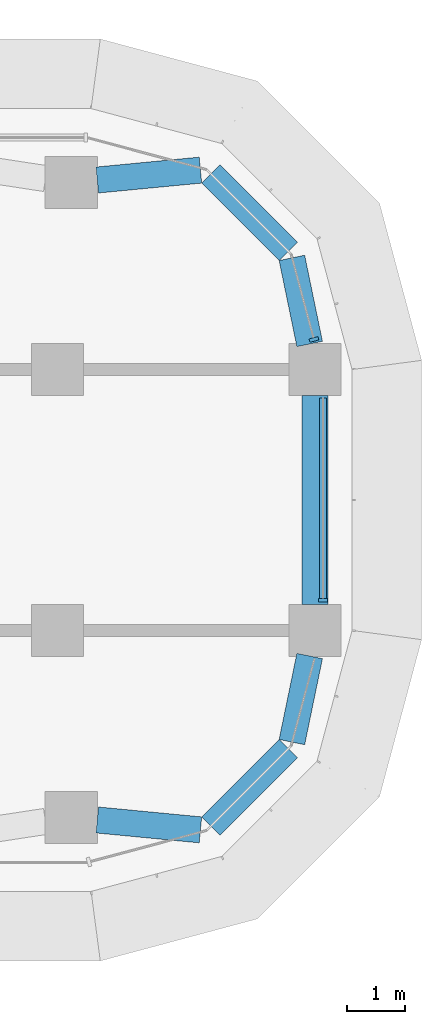
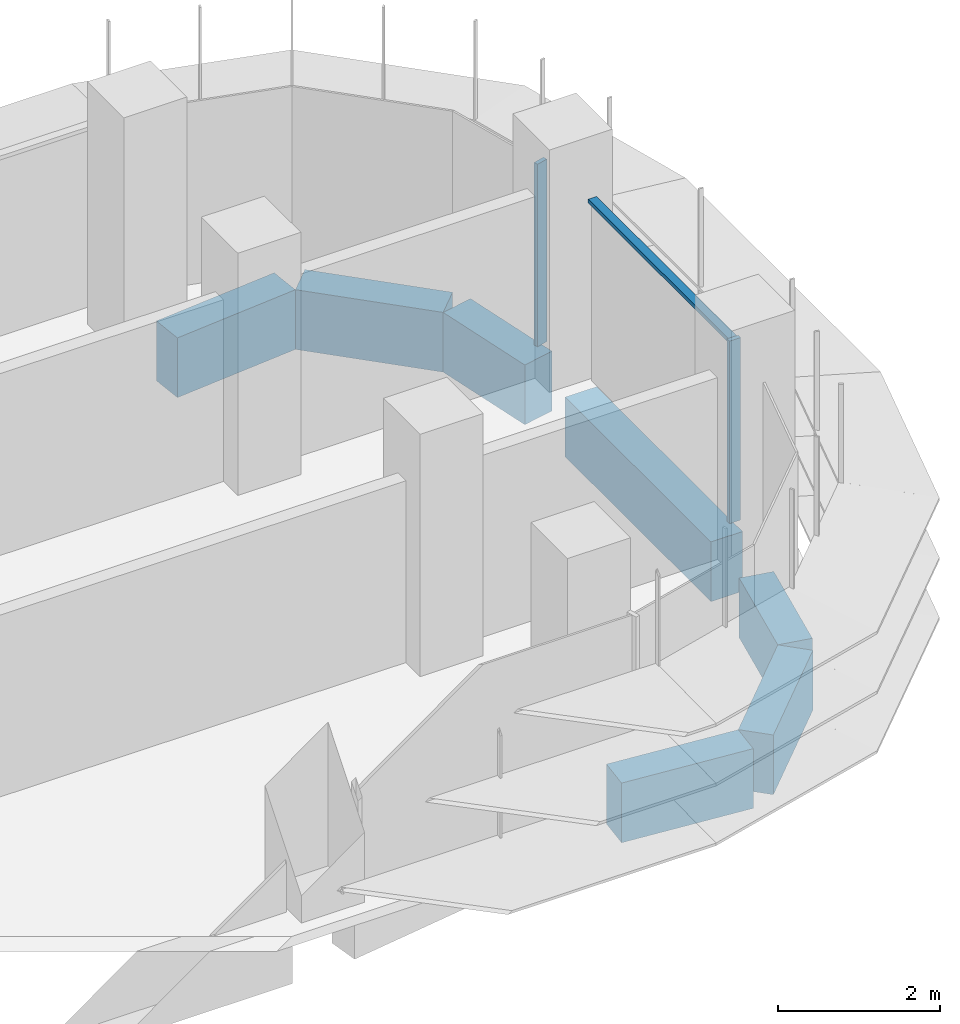
# One storey, part 10 of 22: 7 beams, 3 members, 2 elements without a shape of their own.
"""IFC4 building model written with IfcOpenShell, lengths in metres."""

import ifcopenshell
import ifcopenshell.guid

model = None  # the IFC model being written
_history = None  # IfcOwnerHistory: only IFC2X3 demands one
_inside = {}  # id of a spatial element -> (the spatial element, [elements in it])
_under = {}  # id of a project, library or spatial element -> (it, [spatial elements below it])
_declared = {}  # id of a project -> (the project, [libraries it declares])
_typed = {}  # id of a type object -> (the type object, [elements of that type])
_made_of = {}  # id of a material, layer set ... -> (it, [elements and type objects made of it])


def new_model(schema):
    """Start an empty IFC model of exactly this schema.

    Asked for "IFC4X3", IfcOpenShell would pick the latest addendum, in which some entities
    have other attributes; the version numbers below select the first issue.
    IFC2X3 requires an IfcOwnerHistory on every rooted entity: one is made here for all.
    """
    global model, _history
    if schema == "IFC4X3":
        model = ifcopenshell.file(schema_version=(4, 3, 0, 0))
    else:
        model = ifcopenshell.file(schema=schema)
    _inside.clear()
    _under.clear()
    _declared.clear()
    _typed.clear()
    _made_of.clear()
    _history = None
    if model.schema == "IFC2X3":
        org = make("IfcOrganization", Name="unknown")
        user = make(
            "IfcPersonAndOrganization",
            ThePerson=make("IfcPerson", FamilyName="unknown"),
            TheOrganization=org,
        )
        app = make(
            "IfcApplication",
            ApplicationDeveloper=org,
            Version="unknown",
            ApplicationFullName="unknown",
            ApplicationIdentifier="unknown",
        )
        _history = make(
            "IfcOwnerHistory",
            OwningUser=user,
            OwningApplication=app,
            ChangeAction="ADDED",
            CreationDate=0,
        )
    return model


def make(cls, **values):
    """One entity of the class cls with the attributes given. An attribute that is None is left unset."""
    return model.create_entity(
        cls, **{name: value for name, value in values.items() if value is not None}
    )


def rooted(cls, **values):
    """An entity with a GlobalId (a new one), such as an element, a storey or a relation."""
    return make(cls, GlobalId=ifcopenshell.guid.new(), OwnerHistory=_history, **values)


def si_unit(unit_type, name, prefix=None):
    """IfcSIUnit, for example si_unit("LENGTHUNIT", "METRE", prefix="MILLI")."""
    return make("IfcSIUnit", UnitType=unit_type, Prefix=prefix, Name=name)


def assignment(units):
    """IfcUnitAssignment: the units of a project."""
    return None if units is None else make("IfcUnitAssignment", Units=units)


def point(xyz):
    """IfcCartesianPoint."""
    return None if xyz is None else make("IfcCartesianPoint", Coordinates=xyz)


def direction(xyz):
    """IfcDirection."""
    return None if xyz is None else make("IfcDirection", DirectionRatios=xyz)


def frame(location, z_axis=None, x_axis=None):
    """IfcAxis2Placement3D, a coordinate frame: its origin and axes. An axis left out is left unset."""
    return make(
        "IfcAxis2Placement3D",
        Location=point(location),
        Axis=direction(z_axis),
        RefDirection=direction(x_axis),
    )


def frame_2d(location, x_axis=None):
    """IfcAxis2Placement2D, a coordinate frame in the plane: its origin and x axis."""
    return make(
        "IfcAxis2Placement2D", Location=point(location), RefDirection=direction(x_axis)
    )


def origin():
    """The frame at (0, 0, 0) with its axes left unset."""
    return frame((0.0, 0.0, 0.0))


def origin_2d():
    """The frame at (0, 0) in the plane with its x axis left unset."""
    return frame_2d((0.0, 0.0))


def place(relative_to, where):
    """IfcLocalPlacement: puts the frame where relative to a parent placement (None: the world)."""
    return make(
        "IfcLocalPlacement", PlacementRelTo=relative_to, RelativePlacement=where
    )


def context(
    kind, dimensions, precision=None, world=None, true_north=None, identifier=None
):
    """IfcGeometricRepresentationContext, for example the 3D "Model" context."""
    return make(
        "IfcGeometricRepresentationContext",
        ContextIdentifier=identifier,
        ContextType=kind,
        CoordinateSpaceDimension=dimensions,
        Precision=precision,
        WorldCoordinateSystem=world,
        TrueNorth=true_north,
    )


def subcontext(parent, identifier, kind, view, scale=None):
    """IfcGeometricRepresentationSubContext, for example "Body" below "Model"."""
    return make(
        "IfcGeometricRepresentationSubContext",
        ContextIdentifier=identifier,
        ContextType=kind,
        ParentContext=parent,
        TargetScale=scale,
        TargetView=view,
    )


def project(units=None, contexts=None):
    """IfcProject with its units and contexts."""
    return rooted(
        "IfcProject",
        Name="project",
        RepresentationContexts=contexts,
        UnitsInContext=assignment(units),
    )


def spatial(cls, under=None, at=None, **own):
    """A site, building, storey or space (cls), placed at a placement, below another one or the project."""
    s = rooted(cls, ObjectPlacement=at, **own)
    if under is not None:
        _under.setdefault(under.id(), (under, []))[1].append(s)
    return s


def polyline(points):
    """IfcPolyline through the points."""
    return make("IfcPolyline", Points=[point(p) for p in points])


def profile(cls, at=None, kind="AREA", **sizes):
    """A parametric profile (cls). Its sizes go by their IFC names, for example OverallWidth=200.0."""
    return make(cls, ProfileType=kind, Position=at, **sizes)


def rectangle(**sizes):
    """IfcRectangleProfileDef."""
    return profile("IfcRectangleProfileDef", **sizes)


def outline(outer, holes=None, kind="AREA"):
    """IfcArbitraryClosedProfileDef: a profile drawn as a closed curve; with holes, ...WithVoids."""
    if holes is None:
        return make("IfcArbitraryClosedProfileDef", ProfileType=kind, OuterCurve=outer)
    return make(
        "IfcArbitraryProfileDefWithVoids",
        ProfileType=kind,
        OuterCurve=outer,
        InnerCurves=holes,
    )


def extrude(swept, where, along, depth):
    """IfcExtrudedAreaSolid: the profile swept, set in the frame where, extruded along a direction by depth."""
    return make(
        "IfcExtrudedAreaSolid",
        SweptArea=swept,
        Position=where,
        ExtrudedDirection=direction(along),
        Depth=depth,
    )


def shape(context_of_items, identifier, shape_type, items):
    """IfcShapeRepresentation: the items that make up one representation, for example the "Body"."""
    return make(
        "IfcShapeRepresentation",
        ContextOfItems=context_of_items,
        RepresentationIdentifier=identifier,
        RepresentationType=shape_type,
        Items=items,
    )


def source(mapping_origin, context_of_items, identifier, shape_type, items):
    """IfcRepresentationMap: a shape defined once, which mapped items show again and again."""
    return make(
        "IfcRepresentationMap",
        MappingOrigin=mapping_origin,
        MappedRepresentation=shape(context_of_items, identifier, shape_type, items),
    )


def transform(
    local_origin,
    x_axis=None,
    y_axis=None,
    z_axis=None,
    scale=None,
    scale2=None,
    scale3=None,
    uniform=True,
):
    """IfcCartesianTransformationOperator3D, or its non-uniform kind. x_axis, y_axis, z_axis: its Axis1, 2, 3."""
    if uniform:
        return make(
            "IfcCartesianTransformationOperator3D",
            Axis1=direction(x_axis),
            Axis2=direction(y_axis),
            LocalOrigin=point(local_origin),
            Scale=scale,
            Axis3=direction(z_axis),
        )
    return make(
        "IfcCartesianTransformationOperator3DnonUniform",
        Axis1=direction(x_axis),
        Axis2=direction(y_axis),
        LocalOrigin=point(local_origin),
        Scale=scale,
        Axis3=direction(z_axis),
        Scale2=scale2,
        Scale3=scale3,
    )


def mapped(mapping_source, mapping_target):
    """IfcMappedItem: shows the shape of a source again, moved by a transform."""
    return make(
        "IfcMappedItem", MappingSource=mapping_source, MappingTarget=mapping_target
    )


def material(Name=None, Category=None):
    """IfcMaterial."""
    return make("IfcMaterial", Name=Name, Category=Category)


def material_profile(
    of_material, cross_section, Name=None, Category=None, Priority=None
):
    """IfcMaterialProfile: a cross section and its material."""
    return make(
        "IfcMaterialProfile",
        Name=Name,
        Material=of_material,
        Profile=cross_section,
        Priority=Priority,
        Category=Category,
    )


def profile_set(profiles, Name=None, composite=None):
    """IfcMaterialProfileSet."""
    return make(
        "IfcMaterialProfileSet",
        Name=Name,
        MaterialProfiles=profiles,
        CompositeProfile=composite,
    )


def made_of(thing, what):
    """Note that an element or type object is made of a material, layer set ...; save() writes the relation."""
    if what is not None:
        _made_of.setdefault(what.id(), (what, []))[1].append(thing)
    return thing


def type_object(cls, material=None, **own):
    """A type object (cls), such as IfcWallType, which elements share."""
    return made_of(rooted(cls, **own), material)


def element(
    cls,
    number,
    at=None,
    inside=None,
    cuts=None,
    type_object=None,
    material=None,
    context=None,
    identifier="Body",
    shape_type=None,
    held_by="IfcProductDefinitionShape",
    body=None,
    shapes=None,
    **own,
):
    """One element of the class cls, such as IfcWall. Its Tag is "e" and its number.

    at: its placement. inside: the storey or other place that contains it. cuts: it is an
    opening in that element (IfcRelVoidsElement). A single representation is given by context,
    identifier, shape_type and body (its items); several are given by shapes. held_by: the class
    of the entity that holds the representations. save() writes the other relations.
    """
    e = rooted(cls, Tag="e%d" % number, ObjectPlacement=at, **own)
    if body is not None:
        shapes = [shape(context, identifier, shape_type, body)]
    if shapes is not None:
        e.Representation = make(held_by, Representations=shapes)
    if inside is not None:
        _inside.setdefault(inside.id(), (inside, []))[1].append(e)
    if cuts is not None:
        rooted(
            "IfcRelVoidsElement", RelatingBuildingElement=cuts, RelatedOpeningElement=e
        )
    if type_object is not None:
        _typed.setdefault(type_object.id(), (type_object, []))[1].append(e)
    return made_of(e, material)


def aggregate(whole, parts):
    """IfcRelAggregates: a whole, such as a stair, and the parts it consists of."""
    return rooted("IfcRelAggregates", RelatingObject=whole, RelatedObjects=parts)


def save(model, path):
    """Write the relations noted so far, then the file.

    IfcRelAggregates (storeys below a building ...), IfcRelContainedInSpatialStructure (elements
    in a storey), IfcRelDefinesByType, IfcRelAssociatesMaterial and IfcRelDeclares: one each for
    every whole, place, type object, material and project.
    """
    for whole, parts in _under.values():
        aggregate(whole, parts)
    for where, things in _inside.values():
        rooted(
            "IfcRelContainedInSpatialStructure",
            RelatedElements=things,
            RelatingStructure=where,
        )
    for kind, things in _typed.values():
        rooted("IfcRelDefinesByType", RelatedObjects=things, RelatingType=kind)
    for what, things in _made_of.values():
        rooted("IfcRelAssociatesMaterial", RelatedObjects=things, RelatingMaterial=what)
    for by, libraries in _declared.values():
        rooted("IfcRelDeclares", RelatingContext=by, RelatedDefinitions=libraries)
    model.write(path)


model = new_model("IFC4")

# Units and contexts
model_context = context("Model", 3, precision=1e-05, world=origin(), true_north=direction((0.0, 1.0)))
body_context = subcontext(model_context, "Body", "Model", "MODEL_VIEW")
ifc_project = project(units=[si_unit("LENGTHUNIT", "METRE"), si_unit("AREAUNIT", "SQUARE_METRE"), si_unit("VOLUMEUNIT", "CUBIC_METRE"), si_unit("PLANEANGLEUNIT", "RADIAN"), si_unit("MASSUNIT", "GRAM", prefix="KILO")], contexts=[model_context])

# Site, building, storey
site_placement = place(None, origin())
site = spatial("IfcSite", under=ifc_project, at=site_placement, CompositionType="ELEMENT")
building_placement = place(site_placement, origin())
building = spatial("IfcBuilding", under=site, at=building_placement, Name="Zarbagh Exchange Tower", CompositionType="ELEMENT")
storey_placement = place(building_placement, frame((0.0, 0.0, 94.199951171875)))
storey = spatial("IfcBuildingStorey", under=building, at=storey_placement, Name="L21", CompositionType="ELEMENT", Elevation=94.199951171875)

# Beams
ifc_material_1 = material(Name="Concrete C60/75", Category="concrete")
ifc_material_profile = material_profile(ifc_material_1, rectangle(XDim=0.449951171875, YDim=0.89990234375, at=origin_2d()), Name="RC spandrel beam 450 x 900 C60/75")
ifc_profile_set = profile_set([ifc_material_profile], Name="Concrete C60/75")
beam_type = type_object("IfcBeamType", Name="RC spandrel beam 450 x 900 C60/75", PredefinedType="SPANDREL", material=ifc_profile_set)
beam_1_placement = place(storey_placement, frame((29.35595703125, 5.51806640625, -0.599853515625), z_axis=(0.995433267802, 0.095459988228, 0.0), x_axis=(-0.095459988228, 0.995433267802, 0.0)))
element("IfcBeam", 1, at=beam_1_placement, inside=storey, type_object=beam_type, Name="RC spandrel beam", PredefinedType="SPANDREL", context=body_context, shape_type="SweptSolid", body=[
    extrude(rectangle(XDim=0.449951171875, YDim=0.89990234375, at=origin_2d()), origin(), (0.0, 0.0, 1.0), 1.78759765625),
])
beam_2_placement = place(storey_placement, frame((31.316162109375, 5.623779296875, -0.599853515625), z_axis=(0.707106781187, -0.707106781187, 0.0), x_axis=(0.707106781187, 0.707106781187, 0.0)))
element("IfcBeam", 2, at=beam_2_placement, inside=storey, type_object=beam_type, Name="RC spandrel beam", PredefinedType="SPANDREL", context=body_context, shape_type="SweptSolid", body=[
    extrude(rectangle(XDim=0.449951171875, YDim=0.89990234375, at=origin_2d()), origin(), (0.0, 0.0, 1.0), 1.887939453125),
])
beam_3_placement = place(storey_placement, frame((32.71240234375, 4.17529296875, -0.599853515625), z_axis=(0.202275417995, -0.979328675816, 0.0), x_axis=(0.979328675816, 0.202275417995, 0.0)))
element("IfcBeam", 3, at=beam_3_placement, inside=storey, type_object=beam_type, Name="RC spandrel beam", PredefinedType="SPANDREL", context=body_context, shape_type="SweptSolid", body=[
    extrude(rectangle(XDim=0.449951171875, YDim=0.89990234375, at=origin_2d()), origin(), (0.0, 0.0, 1.0), 1.515869140625),
])
beam_4_placement = place(storey_placement, frame((33.110107421875, 1.800048828125, -0.599853515625), z_axis=(0.0, -1.0, 0.0), x_axis=(1.0, 0.0, 0.0)))
element("IfcBeam", 4, at=beam_4_placement, inside=storey, type_object=beam_type, Name="RC spandrel beam", PredefinedType="SPANDREL", context=body_context, shape_type="SweptSolid", body=[
    extrude(rectangle(XDim=0.449951171875, YDim=0.89990234375, at=origin_2d()), origin(), (0.0, 0.0, 1.0), 3.60009765625),
])
beam_5_placement = place(storey_placement, frame((33.01904296875, -2.690673828125, -0.599853515625), z_axis=(-0.202275417995, -0.979328675816, 0.0), x_axis=(0.979328675816, -0.202275417995, 0.0)))
element("IfcBeam", 5, at=beam_5_placement, inside=storey, type_object=beam_type, Name="RC spandrel beam", PredefinedType="SPANDREL", context=body_context, shape_type="SweptSolid", body=[
    extrude(rectangle(XDim=0.449951171875, YDim=0.89990234375, at=origin_2d()), origin(), (0.0, 0.0, 1.0), 1.515869140625),
])
beam_6_placement = place(storey_placement, frame((32.651123046875, -4.288818359375, -0.599853515625), z_axis=(-0.707106781187, -0.707106781187, 0.0), x_axis=(0.707106781187, -0.707106781187, 0.0)))
element("IfcBeam", 6, at=beam_6_placement, inside=storey, type_object=beam_type, Name="RC spandrel beam", PredefinedType="SPANDREL", context=body_context, shape_type="SweptSolid", body=[
    extrude(rectangle(XDim=0.449951171875, YDim=0.89990234375, at=origin_2d()), origin(), (0.0, 0.0, 1.0), 1.887939453125),
])
beam_7_placement = place(storey_placement, frame((31.135498046875, -5.688720703125, -0.599853515625), z_axis=(-0.995433267802, 0.095459988228, 0.0), x_axis=(-0.095459988228, -0.995433267802, 0.0)))
element("IfcBeam", 7, at=beam_7_placement, inside=storey, type_object=beam_type, Name="RC spandrel beam", PredefinedType="SPANDREL", context=body_context, shape_type="SweptSolid", body=[
    extrude(rectangle(XDim=0.449951171875, YDim=0.89990234375, at=origin_2d()), origin(), (0.0, 0.0, 1.0), 1.78759765625),
])

# Curtain wall, member
ifc_material_2 = material(Name="Anodised aluminium frame and glazing", Category="aluminium")
curtain_wall_type = type_object("IfcCurtainWallType", Name="CWA Ribbon glazing, lower zones", PredefinedType="NOTDEFINED", material=ifc_material_2)
curtain_wall_1_placement = place(storey_placement, origin())
curtain_wall_1 = element("IfcCurtainWall", 8, at=curtain_wall_1_placement, inside=storey, type_object=curtain_wall_type, Name="CWA12 curtain wall", PredefinedType="NOTDEFINED")
ifc_material_3 = material(Name="Anodised aluminium frame", Category="aluminium")
member_type_1 = type_object("IfcMemberType", Name="MUA Mullion, anodised aluminium frame", PredefinedType="MULLION", material=ifc_material_3)
shared_shape_1 = source(origin(), body_context, "Body", "SweptSolid", [
    extrude(outline(polyline([(0.0, -0.080078125), (0.06005859375, -0.080078125), (0.06005859375, 0.080078125), (0.0, 0.080078125), (0.0, -0.080078125)])), origin(), (0.0, 0.0, 1.0), 2.75),
])
placement = place(storey_placement, origin())
member_1 = element("IfcMember", 9, at=placement, type_object=member_type_1, Name="CWA12 mullion 1.1", PredefinedType="MULLION", context=body_context, shape_type="MappedRepresentation", body=[
    mapped(shared_shape_1, transform((33.25, -1.760009765625, 0.0), x_axis=(0.0, 1.0, 0.0), y_axis=(-1.0, 0.0, 0.0), z_axis=(0.0, 0.0, 1.0))),
])

curtain_wall_2_placement = place(storey_placement, origin())
curtain_wall_2 = element("IfcCurtainWall", 10, at=curtain_wall_2_placement, inside=storey, type_object=curtain_wall_type, Name="CWA13 curtain wall", PredefinedType="NOTDEFINED")
member_2 = element("IfcMember", 11, at=placement, type_object=member_type_1, Name="CWA13 mullion 1.1", PredefinedType="MULLION", context=body_context, shape_type="MappedRepresentation", body=[
    mapped(shared_shape_1, transform((33.10107421875, 2.739990234375, 0.0), x_axis=(-0.258824779902, 0.965924289636, 0.0), y_axis=(-0.965924289636, -0.258824779902, 0.0), z_axis=(0.0, 0.0, 1.0))),
])
aggregate(curtain_wall_2, [member_2])

# Member
member_type_2 = type_object("IfcMemberType", Name="TRA Transom, anodised aluminium frame", PredefinedType="USERDEFINED", material=ifc_material_3)
shared_shape_2 = source(origin(), body_context, "Body", "SweptSolid", [
    extrude(outline(polyline([(-0.06005859375, -0.06005859375), (0.0, -0.06005859375), (0.0, 0.06005859375), (-0.06005859375, 0.06005859375), (-0.06005859375, -0.06005859375)])), origin(), (0.0, 0.0, 1.0), 3.4599609375),
])
member_3 = element("IfcMember", 12, at=placement, type_object=member_type_2, Name="CWA12 transom 1.1", ObjectType="TRANSOM", PredefinedType="USERDEFINED", context=body_context, shape_type="MappedRepresentation", body=[
    mapped(shared_shape_2, transform((33.25, -1.699951171875, 2.75), x_axis=(0.0, 0.0, 1.0), y_axis=(1.0, 0.0, 0.0), z_axis=(0.0, 1.0, 0.0))),
])

aggregate(curtain_wall_1, [member_1, member_3])

save(model, "model.ifc")
